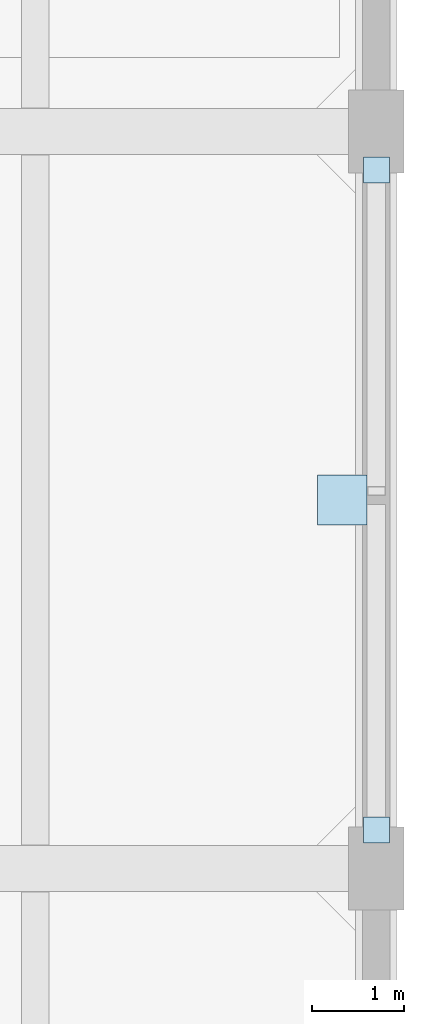
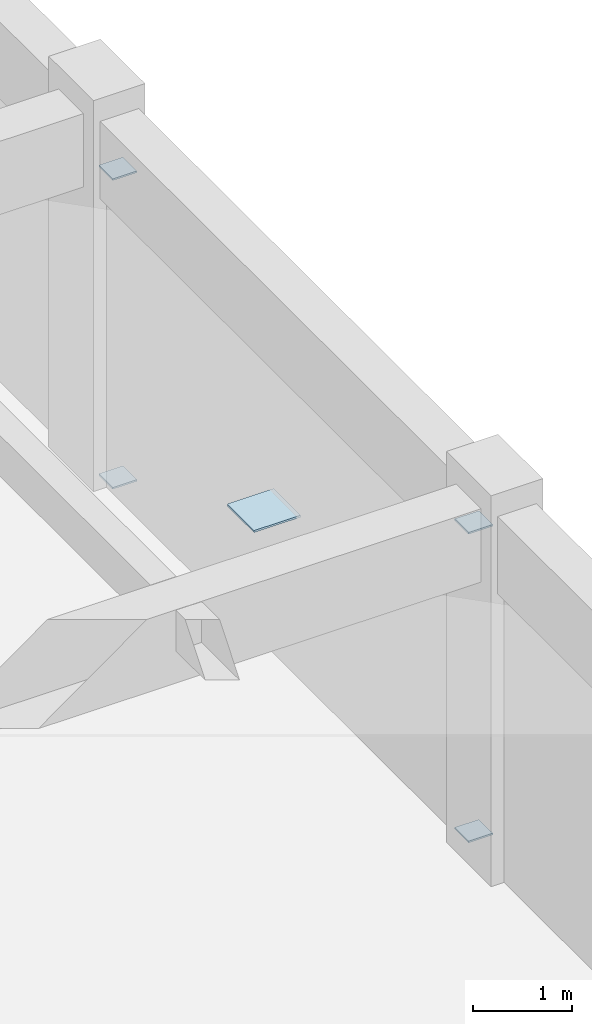
# One storey, part 222 of 248: 5 plates.
"""IFC4 building model written with IfcOpenShell, lengths in metres."""

from ifc_helpers import new_model, si_unit, direction, frame, origin, origin_2d, place, context, subcontext, project, spatial, rectangle, extrude, material, layer, layer_set, type_object, element, save


model = new_model("IFC4")

# Units and contexts
model_context = context("Model", 3, precision=1e-05, world=origin(), true_north=direction((0.0, 1.0)))
body_context = subcontext(model_context, "Body", "Model", "MODEL_VIEW")
ifc_project = project(units=[si_unit("LENGTHUNIT", "METRE"), si_unit("AREAUNIT", "SQUARE_METRE"), si_unit("VOLUMEUNIT", "CUBIC_METRE"), si_unit("PLANEANGLEUNIT", "RADIAN"), si_unit("MASSUNIT", "GRAM", prefix="KILO")], contexts=[model_context])

# Site, building, storey
site_placement = place(None, origin())
site = spatial("IfcSite", under=ifc_project, at=site_placement, CompositionType="ELEMENT")
building_placement = place(site_placement, origin())
building = spatial("IfcBuilding", under=site, at=building_placement, Name="Canggui Botanical Conservatory", CompositionType="ELEMENT")
storey_placement = place(building_placement, frame((0.0, 0.0, 5.39990234375)))
storey = spatial("IfcBuildingStorey", under=building, at=storey_placement, Name="L02", CompositionType="ELEMENT", Elevation=5.39990234375)

# Plates
ifc_material_1 = material(Name="Steel Q355B", Category="steel")
ifc_layer_1 = layer(ifc_material_1, 0.02001953125, Name="Steel Q355B", Category="steel")
ifc_layer_set_1 = layer_set([ifc_layer_1], Name="Steel Q355B")
plate_type_1 = type_object("IfcPlateType", Name="PLT-CAP-20", PredefinedType="USERDEFINED", material=ifc_layer_set_1)
for number, where, z_axis, x_axis, name in (
    (1, (177.39990234375, 42.419921875, 0.0400390625), (0.0, 0.0, 1.0), (1.0, 0.0, 0.0), "CP-ZC-L02-1"),
    (2, (177.39990234375, 49.580078125, 0.0400390625), (0.0, 0.0, 1.0), (1.0, 0.0, 0.0), "CP-ZC-L02-2"),
    (3, (177.39990234375, 42.419921875, 3.830078125), (0.0, 0.0, 1.0), (1.0, 0.0, 0.0), "CP-ZC-L02-3"),
    (4, (177.39990234375, 49.580078125, 3.830078125), (0.0, 0.0, 1.0), (1.0, 0.0, 0.0), "CP-ZC-L02-4"),
):
    element("IfcPlate", number, at=place(storey_placement, frame(where, z_axis=z_axis, x_axis=x_axis)), inside=storey, type_object=plate_type_1, Name=name, ObjectType="END CAP PLATE", PredefinedType="USERDEFINED", context=body_context, shape_type="SweptSolid", body=[
        extrude(rectangle(XDim=0.280029296875, YDim=0.280029296875, at=origin_2d()), origin(), (0.0, 0.0, 1.0), 0.02001953125),
    ])
ifc_material_2 = material(Name="Steel Q355C", Category="steel")
ifc_layer_2 = layer(ifc_material_2, 0.02392578125, Name="Steel Q355C", Category="steel")
ifc_layer_set_2 = layer_set([ifc_layer_2], Name="Steel Q355C")
plate_type_2 = type_object("IfcPlateType", Name="PLT-GUSSET-24", PredefinedType="USERDEFINED", material=ifc_layer_set_2)
plate_placement = place(storey_placement, frame((177.030029296875, 46.0, 1.93310546875), z_axis=(0.0, 0.0, 1.0), x_axis=(1.0, 0.0, 0.0)))
element("IfcPlate", 5, at=plate_placement, inside=storey, type_object=plate_type_2, Name="Seismic X-Brace Central Crossing Gusset Plate L02", ObjectType="GUSSET PLATE", PredefinedType="USERDEFINED", context=body_context, shape_type="SweptSolid", body=[
    extrude(rectangle(XDim=0.5400390625, YDim=0.5400390625, at=origin_2d()), origin(), (0.0, 0.0, 1.0), 0.02392578125),
])

save(model, "model.ifc")
